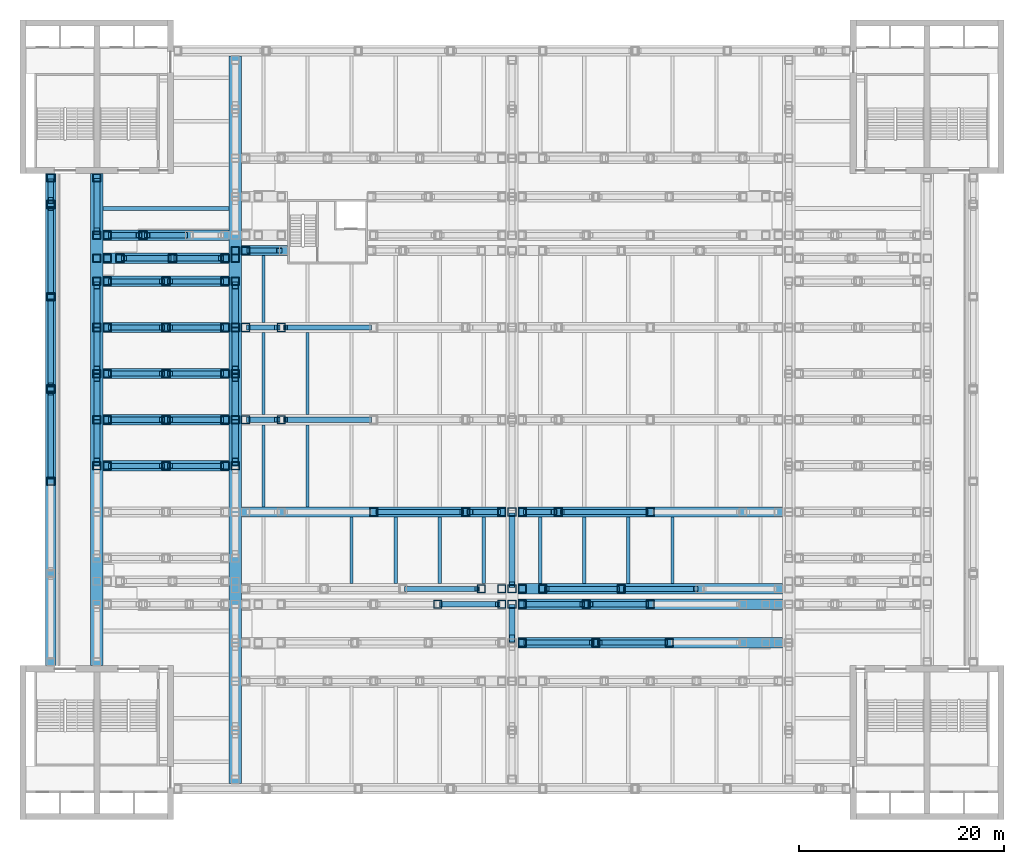
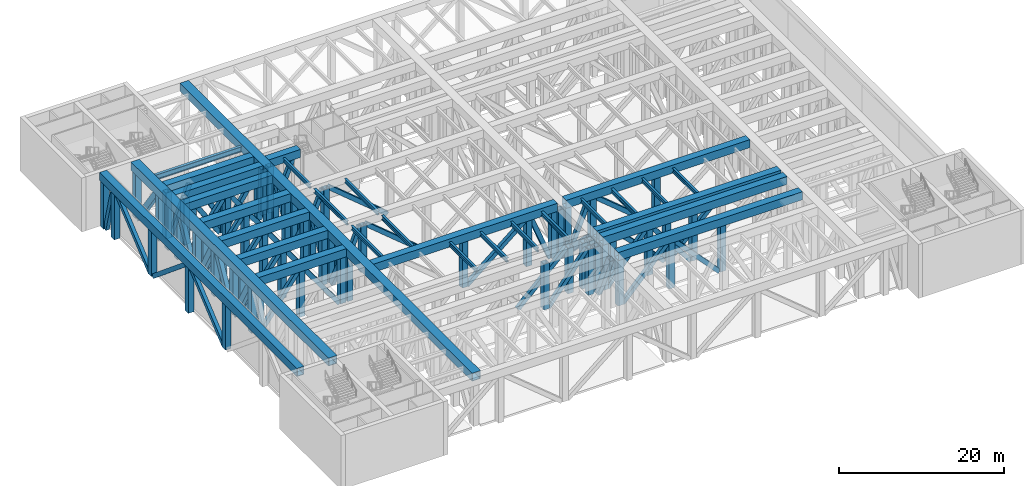
# One storey, part 2 of 20: 130 members, 14 beams.
"""IFC4 building model written with IfcOpenShell, lengths in metres."""

from ifc_helpers import new_model, si_unit, direction, frame, origin, origin_2d, place, context, subcontext, project, spatial, hollow_rectangle, i_section, extrude, material, material_profile, profile_set, type_object, element, save


model = new_model("IFC4")

# Units and contexts
model_context = context("Model", 3, precision=1e-05, world=origin(), true_north=direction((0.0, 1.0)))
body_context = subcontext(model_context, "Body", "Model", "MODEL_VIEW")
ifc_project = project(units=[si_unit("LENGTHUNIT", "METRE"), si_unit("AREAUNIT", "SQUARE_METRE"), si_unit("VOLUMEUNIT", "CUBIC_METRE"), si_unit("PLANEANGLEUNIT", "RADIAN"), si_unit("MASSUNIT", "GRAM", prefix="KILO")], contexts=[model_context])

# Site, building, storey
site_placement = place(None, origin())
site = spatial("IfcSite", under=ifc_project, at=site_placement, CompositionType="ELEMENT")
building_placement = place(site_placement, origin())
building = spatial("IfcBuilding", under=site, at=building_placement, Name="Corbelhall Arena Tower", CompositionType="ELEMENT")
storey_placement = place(building_placement, frame((0.0, 0.0, 52.0)))
storey = spatial("IfcBuildingStorey", under=building, at=storey_placement, Name="L07", CompositionType="ELEMENT", Elevation=52.0)

# Beams
ifc_material_1 = material(Name="Steel ASTM A992 Gr50", Category="steel")
ifc_material_profile_1 = material_profile(ifc_material_1, i_section(OverallWidth=0.323974609375, OverallDepth=0.611083984375, WebThickness=0.0126953125, FlangeThickness=0.01904296875, at=origin_2d()))
ifc_profile_set_1 = profile_set([ifc_material_profile_1], Name="Steel ASTM A992 Gr50")
beam_type_1 = type_object("IfcBeamType", Name="PO-BEAM-W24X104", PredefinedType="BEAM", material=ifc_profile_set_1)
for number, where, z_axis, x_axis, name in (
    (1, (-15.64990234375, -16.0, 7.284423828125), (0.0, 1.0, 0.0), (-1.0, 0.0, 0.0), "DECK BEAM TOP 21.3"),
    (2, (-11.35009765625, -16.0, 7.284423828125), (0.0, 1.0, 0.0), (-1.0, 0.0, 0.0), "DECK BEAM TOP 21.4"),
    (3, (-7.050048828125, -16.0, 7.284423828125), (0.0, 1.0, 0.0), (-1.0, 0.0, 0.0), "DECK BEAM TOP 21.5"),
    (4, (-2.75, -16.0, 7.284423828125), (0.0, 1.0, 0.0), (-1.0, 0.0, 0.0), "DECK BEAM TOP 21.6"),
):
    element("IfcBeam", number, at=place(storey_placement, frame(where, z_axis=z_axis, x_axis=x_axis)), inside=storey, type_object=beam_type_1, Name=name, PredefinedType="BEAM", context=body_context, shape_type="SweptSolid", body=[
        extrude(i_section(OverallWidth=0.323974609375, OverallDepth=0.611083984375, WebThickness=0.0126953125, FlangeThickness=0.01904296875, at=origin_2d()), origin(), (0.0, 0.0, 1.0), 6.5),
    ])
for number, where, z_axis, x_axis, name in (
    (5, (-24.25, -8.5, 7.284423828125), (0.0, 1.0, 0.0), (-1.0, 0.0, 0.0), "DECK BEAM TOP 22.1"),
    (6, (-19.949951171875, -8.5, 7.284423828125), (0.0, 1.0, 0.0), (-1.0, 0.0, 0.0), "DECK BEAM TOP 22.2"),
    (7, (-24.25, 0.5, 7.284423828125), (0.0, 1.0, 0.0), (-1.0, 0.0, 0.0), "DECK BEAM TOP 23.1"),
    (8, (-19.949951171875, 0.5, 7.284423828125), (0.0, 1.0, 0.0), (-1.0, 0.0, 0.0), "DECK BEAM TOP 23.2"),
):
    element("IfcBeam", number, at=place(storey_placement, frame(where, z_axis=z_axis, x_axis=x_axis)), inside=storey, type_object=beam_type_1, Name=name, PredefinedType="BEAM", context=body_context, shape_type="SweptSolid", body=[
        extrude(i_section(OverallWidth=0.323974609375, OverallDepth=0.611083984375, WebThickness=0.0126953125, FlangeThickness=0.01904296875, at=origin_2d()), origin(), (0.0, 0.0, 1.0), 8.0),
    ])
for number, where, z_axis, x_axis, name in (
    (9, (-24.25, 9.5, 7.284423828125), (0.0, 1.0, 0.0), (-1.0, 0.0, 0.0), "DECK BEAM TOP 25.1"),
    (10, (2.75, -16.0, 7.284423828125), (0.0, 1.0, 0.0), (-1.0, 0.0, 0.0), "DECK BEAM TOP 32.1"),
    (11, (7.050048828125, -16.0, 7.284423828125), (0.0, 1.0, 0.0), (-1.0, 0.0, 0.0), "DECK BEAM TOP 32.2"),
    (12, (11.35009765625, -16.0, 7.284423828125), (0.0, 1.0, 0.0), (-1.0, 0.0, 0.0), "DECK BEAM TOP 32.3"),
    (13, (15.64990234375, -16.0, 7.284423828125), (0.0, 1.0, 0.0), (-1.0, 0.0, 0.0), "DECK BEAM TOP 32.4"),
):
    element("IfcBeam", number, at=place(storey_placement, frame(where, z_axis=z_axis, x_axis=x_axis)), inside=storey, type_object=beam_type_1, Name=name, PredefinedType="BEAM", context=body_context, shape_type="SweptSolid", body=[
        extrude(i_section(OverallWidth=0.323974609375, OverallDepth=0.611083984375, WebThickness=0.0126953125, FlangeThickness=0.01904296875, at=origin_2d()), origin(), (0.0, 0.0, 1.0), 6.5),
    ])
ifc_material_profile_2 = material_profile(ifc_material_1, i_section(OverallWidth=0.381103515625, OverallDepth=0.77294921875, WebThickness=0.0166015625, FlangeThickness=0.027099609375, at=origin_2d()))
ifc_profile_set_2 = profile_set([ifc_material_profile_2], Name="Steel ASTM A992 Gr50")
beam_type_2 = type_object("IfcBeamType", Name="PO-BEAM-W30X173", PredefinedType="BEAM", material=ifc_profile_set_2)
beam_placement = place(storey_placement, frame((-39.89990234375, 20.625, 7.3134765625), z_axis=(1.0, 0.0, 0.0), x_axis=(0.0, 1.0, 0.0)))
element("IfcBeam", 14, at=beam_placement, inside=storey, type_object=beam_type_2, Name="DECK BEAM TOP 13.1", PredefinedType="BEAM", context=body_context, shape_type="SweptSolid", body=[
    extrude(i_section(OverallWidth=0.381103515625, OverallDepth=0.77294921875, WebThickness=0.0166015625, FlangeThickness=0.027099609375, at=origin_2d()), origin(), (0.0, 0.0, 1.0), 12.2998046875),
])

# Members
ifc_material_2 = material(Name="Steel ASTM A572 Gr50", Category="steel")
ifc_material_profile_3 = material_profile(ifc_material_2, hollow_rectangle(XDim=0.5, YDim=0.60009765625, WallThickness=0.030029296875, at=origin_2d()))
ifc_profile_set_3 = profile_set([ifc_material_profile_3], Name="Steel ASTM A572 Gr50")
member_type_1 = type_object("IfcMemberType", Name="PO-BRACE-600X500X30", PredefinedType="BRACE", material=ifc_profile_set_3)
for number, where, z_axis, x_axis, name in (
    (15, (-45.0, -5.60009765625, 0.0), (0.0, 0.769763178873, 0.638329576669), (-1.0, 0.0, 0.0), "TRUSS EDGE-W BRACE 2.3"),
    (16, (-45.0, 3.39990234375, 6.800048828125), (0.0, 0.769763178873, -0.638329576669), (-1.0, 0.0, 0.0), "TRUSS EDGE-W BRACE 2.4"),
    (17, (-45.0, 12.39990234375, 0.0), (0.0, 0.769763178873, 0.638329576669), (-1.0, 0.0, 0.0), "TRUSS EDGE-W BRACE 2.5"),
):
    element("IfcMember", number, at=place(storey_placement, frame(where, z_axis=z_axis, x_axis=x_axis)), inside=storey, type_object=member_type_1, Name=name, PredefinedType="BRACE", context=body_context, shape_type="SweptSolid", body=[
        extrude(hollow_rectangle(XDim=0.5, YDim=0.60009765625, WallThickness=0.030029296875, at=origin_2d()), origin(), (0.0, 0.0, 1.0), 10.65283203125),
    ])
member_1_placement = place(storey_placement, frame((-45.0, 21.39990234375, 6.800048828125), z_axis=(0.0, 0.255897330119, -0.966703965254), x_axis=(-1.0, 0.0, 0.0)))
element("IfcMember", 18, at=member_1_placement, inside=storey, type_object=member_type_1, Name="TRUSS EDGE-W BRACE 2.6", PredefinedType="BRACE", context=body_context, shape_type="SweptSolid", body=[
    extrude(hollow_rectangle(XDim=0.5, YDim=0.60009765625, WallThickness=0.030029296875, at=origin_2d()), origin(), (0.0, 0.0, 1.0), 7.0341796875),
])
for number, where, z_axis, x_axis, name in (
    (19, (1.39990234375, -21.75, 0.0), (0.683464108742, 0.0, 0.729984117677), (0.0, 1.0, 0.0), "TRUSS SEC-S21.75-2 BRACE 2.1"),
    (20, (8.566650390625, -21.75, 6.800048828125), (0.683464108742, 0.0, -0.729984117677), (0.0, 1.0, 0.0), "TRUSS SEC-S21.75-2 BRACE 2.2"),
):
    element("IfcMember", number, at=place(storey_placement, frame(where, z_axis=z_axis, x_axis=x_axis)), inside=storey, type_object=member_type_1, Name=name, PredefinedType="BRACE", context=body_context, shape_type="SweptSolid", body=[
        extrude(hollow_rectangle(XDim=0.5, YDim=0.60009765625, WallThickness=0.030029296875, at=origin_2d()), origin(), (0.0, 0.0, 1.0), 9.3154296875),
    ])
for number, where, z_axis, x_axis, name in (
    (21, (-6.85009765625, -18.0, 0.0), (0.625405411621, 0.0, 0.780299987899), (0.0, 1.0, 0.0), "TRUSS SEC-S18.00-1 BRACE 2.5"),
    (22, (1.39990234375, -18.0, 0.0), (0.625405411621, 0.0, 0.780299987899), (0.0, 1.0, 0.0), "TRUSS SEC-S18.00-2 BRACE 2.1"),
    (23, (7.64990234375, -18.0, 6.800048828125), (0.625405411621, 0.0, -0.780299987899), (0.0, 1.0, 0.0), "TRUSS SEC-S18.00-2 BRACE 2.2"),
):
    element("IfcMember", number, at=place(storey_placement, frame(where, z_axis=z_axis, x_axis=x_axis)), inside=storey, type_object=member_type_1, Name=name, PredefinedType="BRACE", context=body_context, shape_type="SweptSolid", body=[
        extrude(hollow_rectangle(XDim=0.5, YDim=0.60009765625, WallThickness=0.030029296875, at=origin_2d()), origin(), (0.0, 0.0, 1.0), 8.714599609375),
    ])
for number, where, z_axis, x_axis, name in (
    (24, (-10.2666015625, -16.5, 0.0), (0.71054677033, 0.0, 0.703649974898), (0.0, 1.0, 0.0), "TRUSS SEC-S16.50-1 BRACE 2.3"),
    (25, (3.39990234375, -16.5, 6.800048828125), (0.71054677033, 0.0, -0.703649974898), (0.0, 1.0, 0.0), "TRUSS SEC-S16.50-2 BRACE 2.2"),
    (26, (11.066650390625, -16.5, 0.0), (0.71054677033, 0.0, 0.703649974898), (0.0, 1.0, 0.0), "TRUSS SEC-S16.50-2 BRACE 2.3"),
):
    element("IfcMember", number, at=place(storey_placement, frame(where, z_axis=z_axis, x_axis=x_axis)), inside=storey, type_object=member_type_1, Name=name, PredefinedType="BRACE", context=body_context, shape_type="SweptSolid", body=[
        extrude(hollow_rectangle(XDim=0.5, YDim=0.60009765625, WallThickness=0.030029296875, at=origin_2d()), origin(), (0.0, 0.0, 1.0), 9.6640625),
    ])
member_2_placement = place(storey_placement, frame((-13.10009765625, -9.0, 0.0), z_axis=(0.769763178873, 0.0, 0.638329576669), x_axis=(0.0, 1.0, 0.0)))
element("IfcMember", 27, at=member_2_placement, inside=storey, type_object=member_type_1, Name="TRUSS SEC-S09.00-1 BRACE 2.3", PredefinedType="BRACE", context=body_context, shape_type="SweptSolid", body=[
    extrude(hollow_rectangle(XDim=0.5, YDim=0.60009765625, WallThickness=0.030029296875, at=origin_2d()), origin(), (0.0, 0.0, 1.0), 10.65283203125),
])
for number, where, z_axis, x_axis, name in (
    (28, (-4.10009765625, -9.0, 6.800048828125), (0.369053718093, 0.0, -0.929408066008), (0.0, 1.0, 0.0), "TRUSS SEC-S09.00-1 BRACE 2.4"),
    (29, (1.39990234375, -9.0, 0.0), (0.369053718093, 0.0, 0.929408066008), (0.0, 1.0, 0.0), "TRUSS SEC-S09.00-2 BRACE 2.1"),
):
    element("IfcMember", number, at=place(storey_placement, frame(where, z_axis=z_axis, x_axis=x_axis)), inside=storey, type_object=member_type_1, Name=name, PredefinedType="BRACE", context=body_context, shape_type="SweptSolid", body=[
        extrude(hollow_rectangle(XDim=0.5, YDim=0.60009765625, WallThickness=0.030029296875, at=origin_2d()), origin(), (0.0, 0.0, 1.0), 7.316650390625),
    ])
member_3_placement = place(storey_placement, frame((4.89990234375, -9.0, 6.800048828125), z_axis=(0.769763178873, 0.0, -0.638329576669), x_axis=(0.0, 1.0, 0.0)))
element("IfcMember", 30, at=member_3_placement, inside=storey, type_object=member_type_1, Name="TRUSS SEC-S09.00-2 BRACE 2.2", PredefinedType="BRACE", context=body_context, shape_type="SweptSolid", body=[
    extrude(hollow_rectangle(XDim=0.5, YDim=0.60009765625, WallThickness=0.030029296875, at=origin_2d()), origin(), (0.0, 0.0, 1.0), 10.65283203125),
])
for number, where, z_axis, x_axis, name in (
    (31, (-39.10009765625, -4.5, 0.0), (0.588537525925, 0.0, 0.808469900848), (0.0, 1.0, 0.0), "TRUSS SEC-S04.50-0 BRACE 2.1"),
    (32, (-33.35009765625, -4.5, 6.800048828125), (0.588537525925, 0.0, -0.808469900848), (0.0, 1.0, 0.0), "TRUSS SEC-S04.50-0 BRACE 2.2"),
    (33, (-39.10009765625, 0.0, 0.0), (0.588537525925, 0.0, 0.808469900848), (0.0, 1.0, 0.0), "TRUSS SEC-N00.00-0 BRACE 2.1"),
    (34, (-33.35009765625, 0.0, 6.800048828125), (0.588537525925, 0.0, -0.808469900848), (0.0, 1.0, 0.0), "TRUSS SEC-N00.00-0 BRACE 2.2"),
):
    element("IfcMember", number, at=place(storey_placement, frame(where, z_axis=z_axis, x_axis=x_axis)), inside=storey, type_object=member_type_1, Name=name, PredefinedType="BRACE", context=body_context, shape_type="SweptSolid", body=[
        extrude(hollow_rectangle(XDim=0.5, YDim=0.60009765625, WallThickness=0.030029296875, at=origin_2d()), origin(), (0.0, 0.0, 1.0), 8.410888671875),
    ])
member_4_placement = place(storey_placement, frame((-25.60009765625, 0.0, 0.0), z_axis=(0.369053718093, 0.0, 0.929408066008), x_axis=(0.0, 1.0, 0.0)))
element("IfcMember", 35, at=member_4_placement, inside=storey, type_object=member_type_1, Name="TRUSS SEC-N00.00-1 BRACE 2.1", PredefinedType="BRACE", context=body_context, shape_type="SweptSolid", body=[
    extrude(hollow_rectangle(XDim=0.5, YDim=0.60009765625, WallThickness=0.030029296875, at=origin_2d()), origin(), (0.0, 0.0, 1.0), 7.316650390625),
])
member_5_placement = place(storey_placement, frame((-22.10009765625, 0.0, 6.800048828125), z_axis=(0.769763178873, 0.0, -0.638329576669), x_axis=(0.0, 1.0, 0.0)))
element("IfcMember", 36, at=member_5_placement, inside=storey, type_object=member_type_1, Name="TRUSS SEC-N00.00-1 BRACE 2.2", PredefinedType="BRACE", context=body_context, shape_type="SweptSolid", body=[
    extrude(hollow_rectangle(XDim=0.5, YDim=0.60009765625, WallThickness=0.030029296875, at=origin_2d()), origin(), (0.0, 0.0, 1.0), 10.65283203125),
])
for number, where, z_axis, x_axis, name in (
    (37, (-39.10009765625, 4.5, 0.0), (0.588537525925, 0.0, 0.808469900848), (0.0, 1.0, 0.0), "TRUSS SEC-N04.50-0 BRACE 2.1"),
    (38, (-33.35009765625, 4.5, 6.800048828125), (0.588537525925, 0.0, -0.808469900848), (0.0, 1.0, 0.0), "TRUSS SEC-N04.50-0 BRACE 2.2"),
    (39, (-39.10009765625, 9.0, 0.0), (0.588537525925, 0.0, 0.808469900848), (0.0, 1.0, 0.0), "TRUSS SEC-N09.00-0 BRACE 2.1"),
    (40, (-33.35009765625, 9.0, 6.800048828125), (0.588537525925, 0.0, -0.808469900848), (0.0, 1.0, 0.0), "TRUSS SEC-N09.00-0 BRACE 2.2"),
):
    element("IfcMember", number, at=place(storey_placement, frame(where, z_axis=z_axis, x_axis=x_axis)), inside=storey, type_object=member_type_1, Name=name, PredefinedType="BRACE", context=body_context, shape_type="SweptSolid", body=[
        extrude(hollow_rectangle(XDim=0.5, YDim=0.60009765625, WallThickness=0.030029296875, at=origin_2d()), origin(), (0.0, 0.0, 1.0), 8.410888671875),
    ])
member_6_placement = place(storey_placement, frame((-25.60009765625, 9.0, 0.0), z_axis=(0.369053718093, 0.0, 0.929408066008), x_axis=(0.0, 1.0, 0.0)))
element("IfcMember", 41, at=member_6_placement, inside=storey, type_object=member_type_1, Name="TRUSS SEC-N09.00-1 BRACE 2.1", PredefinedType="BRACE", context=body_context, shape_type="SweptSolid", body=[
    extrude(hollow_rectangle(XDim=0.5, YDim=0.60009765625, WallThickness=0.030029296875, at=origin_2d()), origin(), (0.0, 0.0, 1.0), 7.316650390625),
])
member_7_placement = place(storey_placement, frame((-22.10009765625, 9.0, 6.800048828125), z_axis=(0.769763178873, 0.0, -0.638329576669), x_axis=(0.0, 1.0, 0.0)))
element("IfcMember", 42, at=member_7_placement, inside=storey, type_object=member_type_1, Name="TRUSS SEC-N09.00-1 BRACE 2.2", PredefinedType="BRACE", context=body_context, shape_type="SweptSolid", body=[
    extrude(hollow_rectangle(XDim=0.5, YDim=0.60009765625, WallThickness=0.030029296875, at=origin_2d()), origin(), (0.0, 0.0, 1.0), 10.65283203125),
])
for number, where, z_axis, x_axis, name in (
    (43, (-39.10009765625, 13.5, 0.0), (0.588537525925, 0.0, 0.808469900848), (0.0, 1.0, 0.0), "TRUSS SEC-N13.50-0 BRACE 2.1"),
    (44, (-33.35009765625, 13.5, 6.800048828125), (0.588537525925, 0.0, -0.808469900848), (0.0, 1.0, 0.0), "TRUSS SEC-N13.50-0 BRACE 2.2"),
):
    element("IfcMember", number, at=place(storey_placement, frame(where, z_axis=z_axis, x_axis=x_axis)), inside=storey, type_object=member_type_1, Name=name, PredefinedType="BRACE", context=body_context, shape_type="SweptSolid", body=[
        extrude(hollow_rectangle(XDim=0.5, YDim=0.60009765625, WallThickness=0.030029296875, at=origin_2d()), origin(), (0.0, 0.0, 1.0), 8.410888671875),
    ])
for number, where, z_axis, x_axis, name in (
    (45, (-37.85009765625, 15.75, 6.800048828125), (0.536689259852, 0.0, -0.843779970347), (0.0, 1.0, 0.0), "TRUSS SEC-N15.75-0 BRACE 2.2"),
    (46, (-32.72509765625, 15.75, 0.0), (0.536689259852, 0.0, 0.843779970347), (0.0, 1.0, 0.0), "TRUSS SEC-N15.75-0 BRACE 2.3"),
):
    element("IfcMember", number, at=place(storey_placement, frame(where, z_axis=z_axis, x_axis=x_axis)), inside=storey, type_object=member_type_1, Name=name, PredefinedType="BRACE", context=body_context, shape_type="SweptSolid", body=[
        extrude(hollow_rectangle(XDim=0.5, YDim=0.60009765625, WallThickness=0.030029296875, at=origin_2d()), origin(), (0.0, 0.0, 1.0), 8.05908203125),
    ])
member_8_placement = place(storey_placement, frame((-25.60009765625, 16.5, 0.0), z_axis=(0.392300477515, 0.0, 0.919837124355), x_axis=(0.0, 1.0, 0.0)))
element("IfcMember", 47, at=member_8_placement, inside=storey, type_object=member_type_1, Name="TRUSS SEC-N16.50-1W BRACE 2.1", PredefinedType="BRACE", context=body_context, shape_type="SweptSolid", body=[
    extrude(hollow_rectangle(XDim=0.5, YDim=0.60009765625, WallThickness=0.030029296875, at=origin_2d()), origin(), (0.0, 0.0, 1.0), 7.392578125),
])
member_9_placement = place(storey_placement, frame((-39.10009765625, 18.0, 0.0), z_axis=(0.369053718093, 0.0, 0.929408066008), x_axis=(0.0, 1.0, 0.0)))
element("IfcMember", 48, at=member_9_placement, inside=storey, type_object=member_type_1, Name="TRUSS SEC-N18.00-0 BRACE 2.1", PredefinedType="BRACE", context=body_context, shape_type="SweptSolid", body=[
    extrude(hollow_rectangle(XDim=0.5, YDim=0.60009765625, WallThickness=0.030029296875, at=origin_2d()), origin(), (0.0, 0.0, 1.0), 7.316650390625),
])
member_10_placement = place(storey_placement, frame((-35.60009765625, 18.0, 6.800048828125), z_axis=(0.477963647565, 0.0, -0.878379617026), x_axis=(0.0, 1.0, 0.0)))
element("IfcMember", 49, at=member_10_placement, inside=storey, type_object=member_type_1, Name="TRUSS SEC-N18.00-0 BRACE 2.2", PredefinedType="BRACE", context=body_context, shape_type="SweptSolid", body=[
    extrude(hollow_rectangle(XDim=0.5, YDim=0.60009765625, WallThickness=0.030029296875, at=origin_2d()), origin(), (0.0, 0.0, 1.0), 7.74169921875),
])
ifc_material_profile_4 = material_profile(ifc_material_2, hollow_rectangle(XDim=0.60009765625, YDim=0.800048828125, WallThickness=0.0400390625, at=origin_2d()))
ifc_profile_set_4 = profile_set([ifc_material_profile_4], Name="Steel ASTM A572 Gr50")
member_type_2 = type_object("IfcMemberType", Name="PO-BRACE-800X600X40", PredefinedType="BRACE", material=ifc_profile_set_4)
for number, where, z_axis, x_axis, name in (
    (50, (-40.5, -4.10009765625, 6.800048828125), (0.0, 0.477963647565, -0.878379617026), (-1.0, 0.0, 0.0), "TRUSS PRI--40.5 BRACE 2.6"),
    (51, (-40.5, 0.39990234375, 0.0), (0.0, 0.477963647565, 0.878379617026), (-1.0, 0.0, 0.0), "TRUSS PRI--40.5 BRACE 2.7"),
    (52, (-40.5, 4.89990234375, 6.800048828125), (0.0, 0.477963647565, -0.878379617026), (-1.0, 0.0, 0.0), "TRUSS PRI--40.5 BRACE 2.8"),
    (53, (-40.5, 9.39990234375, 0.0), (0.0, 0.477963647565, 0.878379617026), (-1.0, 0.0, 0.0), "TRUSS PRI--40.5 BRACE 2.9"),
):
    element("IfcMember", number, at=place(storey_placement, frame(where, z_axis=z_axis, x_axis=x_axis)), inside=storey, type_object=member_type_2, Name=name, PredefinedType="BRACE", context=body_context, shape_type="SweptSolid", body=[
        extrude(hollow_rectangle(XDim=0.60009765625, YDim=0.800048828125, WallThickness=0.0400390625, at=origin_2d()), origin(), (0.0, 0.0, 1.0), 7.74169921875),
    ])
member_11_placement = place(storey_placement, frame((-40.5, 18.39990234375, 6.800048828125), z_axis=(0.0, 0.576684349177, -0.816967050385), x_axis=(-1.0, 0.0, 0.0)))
element("IfcMember", 54, at=member_11_placement, inside=storey, type_object=member_type_2, Name="TRUSS PRI--40.5 BRACE 2.12", PredefinedType="BRACE", context=body_context, shape_type="SweptSolid", body=[
    extrude(hollow_rectangle(XDim=0.60009765625, YDim=0.800048828125, WallThickness=0.0400390625, at=origin_2d()), origin(), (0.0, 0.0, 1.0), 8.323486328125),
])
for number, where, z_axis, x_axis, name in (
    (55, (-27.0, -4.10009765625, 6.800048828125), (0.0, 0.477963647565, -0.878379617026), (-1.0, 0.0, 0.0), "TRUSS PRI--27.0 BRACE 2.10"),
    (56, (-27.0, 0.39990234375, 0.0), (0.0, 0.477963647565, 0.878379617026), (-1.0, 0.0, 0.0), "TRUSS PRI--27.0 BRACE 2.11"),
    (57, (-27.0, 4.89990234375, 6.800048828125), (0.0, 0.477963647565, -0.878379617026), (-1.0, 0.0, 0.0), "TRUSS PRI--27.0 BRACE 2.12"),
    (58, (-27.0, 9.39990234375, 0.0), (0.0, 0.477963647565, 0.878379617026), (-1.0, 0.0, 0.0), "TRUSS PRI--27.0 BRACE 2.13"),
):
    element("IfcMember", number, at=place(storey_placement, frame(where, z_axis=z_axis, x_axis=x_axis)), inside=storey, type_object=member_type_2, Name=name, PredefinedType="BRACE", context=body_context, shape_type="SweptSolid", body=[
        extrude(hollow_rectangle(XDim=0.60009765625, YDim=0.800048828125, WallThickness=0.0400390625, at=origin_2d()), origin(), (0.0, 0.0, 1.0), 7.74169921875),
    ])
member_12_placement = place(storey_placement, frame((0.0, -21.35009765625, 6.800048828125), z_axis=(0.0, 0.398005781953, -0.917382906715), x_axis=(-1.0, 0.0, 0.0)))
element("IfcMember", 59, at=member_12_placement, inside=storey, type_object=member_type_2, Name="TRUSS PRI-+0.0 BRACE 2.4", PredefinedType="BRACE", context=body_context, shape_type="SweptSolid", body=[
    extrude(hollow_rectangle(XDim=0.60009765625, YDim=0.800048828125, WallThickness=0.0400390625, at=origin_2d()), origin(), (0.0, 0.0, 1.0), 7.412353515625),
])
member_13_placement = place(storey_placement, frame((0.0, -16.10009765625, 6.800048828125), z_axis=(0.0, 0.701857522338, -0.712317357881), x_axis=(-1.0, 0.0, 0.0)))
element("IfcMember", 60, at=member_13_placement, inside=storey, type_object=member_type_2, Name="TRUSS PRI-+0.0 BRACE 2.6", PredefinedType="BRACE", context=body_context, shape_type="SweptSolid", body=[
    extrude(hollow_rectangle(XDim=0.60009765625, YDim=0.800048828125, WallThickness=0.0400390625, at=origin_2d()), origin(), (0.0, 0.0, 1.0), 9.54638671875),
])
ifc_material_profile_5 = material_profile(ifc_material_2, hollow_rectangle(XDim=1.0, YDim=1.199951171875, WallThickness=0.06005859375, at=origin_2d()))
ifc_profile_set_5 = profile_set([ifc_material_profile_5], Name="Steel ASTM A572 Gr50")
member_type_3 = type_object("IfcMemberType", Name="PO-CHORD-1200X1000X60", PredefinedType="CHORD", material=ifc_profile_set_5)
member_14_placement = place(storey_placement, frame((-45.0, -24.0, 7.39990234375), z_axis=(0.0, 1.0, 0.0), x_axis=(-1.0, 0.0, 0.0)))
element("IfcMember", 61, at=member_14_placement, inside=storey, type_object=member_type_3, Name="TRUSS EDGE-W TOP CHORD", PredefinedType="CHORD", context=body_context, shape_type="SweptSolid", body=[
    extrude(hollow_rectangle(XDim=1.0, YDim=1.199951171875, WallThickness=0.06005859375, at=origin_2d()), origin(), (0.0, 0.0, 1.0), 48.0),
])
for number, where, z_axis, x_axis, name in (
    (62, (0.60009765625, -21.75, 7.39990234375), (1.0, 0.0, 0.0), (0.0, 1.0, 0.0), "TRUSS SEC-S21.75-2 TOP CHORD"),
    (63, (0.60009765625, -18.0, 7.39990234375), (1.0, 0.0, 0.0), (0.0, 1.0, 0.0), "TRUSS SEC-S18.00-2 TOP CHORD"),
    (64, (0.60009765625, -16.5, 7.39990234375), (1.0, 0.0, 0.0), (0.0, 1.0, 0.0), "TRUSS SEC-S16.50-2 TOP CHORD"),
    (65, (-26.39990234375, -9.0, 7.39990234375), (1.0, 0.0, 0.0), (0.0, 1.0, 0.0), "TRUSS SEC-S09.00-1 TOP CHORD"),
    (66, (0.60009765625, -9.0, 7.39990234375), (1.0, 0.0, 0.0), (0.0, 1.0, 0.0), "TRUSS SEC-S09.00-2 TOP CHORD"),
):
    element("IfcMember", number, at=place(storey_placement, frame(where, z_axis=z_axis, x_axis=x_axis)), inside=storey, type_object=member_type_3, Name=name, PredefinedType="CHORD", context=body_context, shape_type="SweptSolid", body=[
        extrude(hollow_rectangle(XDim=1.0, YDim=1.199951171875, WallThickness=0.06005859375, at=origin_2d()), origin(), (0.0, 0.0, 1.0), 25.7998046875),
    ])
for number, where, z_axis, x_axis, name in (
    (67, (-39.89990234375, -4.5, 7.39990234375), (1.0, 0.0, 0.0), (0.0, 1.0, 0.0), "TRUSS SEC-S04.50-0 TOP CHORD"),
    (68, (-39.89990234375, 0.0, 7.39990234375), (1.0, 0.0, 0.0), (0.0, 1.0, 0.0), "TRUSS SEC-N00.00-0 TOP CHORD"),
    (69, (-39.89990234375, 4.5, 7.39990234375), (1.0, 0.0, 0.0), (0.0, 1.0, 0.0), "TRUSS SEC-N04.50-0 TOP CHORD"),
    (70, (-39.89990234375, 9.0, 7.39990234375), (1.0, 0.0, 0.0), (0.0, 1.0, 0.0), "TRUSS SEC-N09.00-0 TOP CHORD"),
    (71, (-39.89990234375, 13.5, 7.39990234375), (1.0, 0.0, 0.0), (0.0, 1.0, 0.0), "TRUSS SEC-N13.50-0 TOP CHORD"),
    (72, (-39.89990234375, 15.75, 7.39990234375), (1.0, 0.0, 0.0), (0.0, 1.0, 0.0), "TRUSS SEC-N15.75-0 TOP CHORD"),
):
    element("IfcMember", number, at=place(storey_placement, frame(where, z_axis=z_axis, x_axis=x_axis)), inside=storey, type_object=member_type_3, Name=name, PredefinedType="CHORD", context=body_context, shape_type="SweptSolid", body=[
        extrude(hollow_rectangle(XDim=1.0, YDim=1.199951171875, WallThickness=0.06005859375, at=origin_2d()), origin(), (0.0, 0.0, 1.0), 12.2998046875),
    ])
member_15_placement = place(storey_placement, frame((-26.39990234375, 16.5, 7.39990234375), z_axis=(1.0, 0.0, 0.0), x_axis=(0.0, 1.0, 0.0)))
element("IfcMember", 73, at=member_15_placement, inside=storey, type_object=member_type_3, Name="TRUSS SEC-N16.50-1W TOP CHORD", PredefinedType="CHORD", context=body_context, shape_type="SweptSolid", body=[
    extrude(hollow_rectangle(XDim=1.0, YDim=1.199951171875, WallThickness=0.06005859375, at=origin_2d()), origin(), (0.0, 0.0, 1.0), 4.5),
])
member_16_placement = place(storey_placement, frame((-39.89990234375, 18.0, 7.39990234375), z_axis=(1.0, 0.0, 0.0), x_axis=(0.0, 1.0, 0.0)))
element("IfcMember", 74, at=member_16_placement, inside=storey, type_object=member_type_3, Name="TRUSS SEC-N18.00-0 TOP CHORD", PredefinedType="CHORD", context=body_context, shape_type="SweptSolid", body=[
    extrude(hollow_rectangle(XDim=1.0, YDim=1.199951171875, WallThickness=0.06005859375, at=origin_2d()), origin(), (0.0, 0.0, 1.0), 12.2998046875),
])
ifc_material_profile_6 = material_profile(ifc_material_2, hollow_rectangle(XDim=1.199951171875, YDim=1.199951171875, WallThickness=0.080078125, at=origin_2d()))
ifc_profile_set_6 = profile_set([ifc_material_profile_6], Name="Steel ASTM A572 Gr50")
member_type_4 = type_object("IfcMemberType", Name="PO-CHORD-1200X1200X80", PredefinedType="CHORD", material=ifc_profile_set_6)
member_17_placement = place(storey_placement, frame((-40.5, -24.0, 7.39990234375), z_axis=(0.0, 1.0, 0.0), x_axis=(-1.0, 0.0, 0.0)))
element("IfcMember", 75, at=member_17_placement, inside=storey, type_object=member_type_4, Name="TRUSS PRI--40.5 TOP CHORD", PredefinedType="CHORD", context=body_context, shape_type="SweptSolid", body=[
    extrude(hollow_rectangle(XDim=1.199951171875, YDim=1.199951171875, WallThickness=0.080078125, at=origin_2d()), origin(), (0.0, 0.0, 1.0), 48.0),
])
member_18_placement = place(storey_placement, frame((-27.0, -35.5, 7.39990234375), z_axis=(0.0, 1.0, 0.0), x_axis=(-1.0, 0.0, 0.0)))
element("IfcMember", 76, at=member_18_placement, inside=storey, type_object=member_type_4, Name="TRUSS PRI--27.0 TOP CHORD", PredefinedType="CHORD", context=body_context, shape_type="SweptSolid", body=[
    extrude(hollow_rectangle(XDim=1.199951171875, YDim=1.199951171875, WallThickness=0.080078125, at=origin_2d()), origin(), (0.0, 0.0, 1.0), 71.0),
])
ifc_material_profile_7 = material_profile(ifc_material_2, hollow_rectangle(XDim=0.800048828125, YDim=0.800048828125, WallThickness=0.050048828125, at=origin_2d()))
ifc_profile_set_7 = profile_set([ifc_material_profile_7], Name="Steel ASTM A572 Gr50")
member_type_5 = type_object("IfcMemberType", Name="PO-POST-800", PredefinedType="POST", material=ifc_profile_set_7)
for number, where, z_axis, x_axis, name in (
    (77, (-45.0, -6.0, 0.0), (0.0, 0.0, 1.0), (1.0, 0.0, 0.0), "TRUSS EDGE-W POST 2.3"),
    (78, (-45.0, 3.0, 0.0), (0.0, 0.0, 1.0), (1.0, 0.0, 0.0), "TRUSS EDGE-W POST 2.4"),
    (79, (-45.0, 12.0, 0.0), (0.0, 0.0, 1.0), (1.0, 0.0, 0.0), "TRUSS EDGE-W POST 2.5"),
    (80, (-45.0, 21.0, 0.0), (0.0, 0.0, 1.0), (1.0, 0.0, 0.0), "TRUSS EDGE-W POST 2.6"),
    (81, (-45.0, 23.60009765625, 0.0), (0.0, 0.0, 1.0), (1.0, 0.0, 0.0), "TRUSS EDGE-W POST 2.7"),
    (82, (1.0, -21.75, 0.0), (0.0, 0.0, 1.0), (1.0, 0.0, 0.0), "TRUSS SEC-S21.75-2 POST 2.1"),
    (83, (8.166748046875, -21.75, 0.0), (0.0, 0.0, 1.0), (1.0, 0.0, 0.0), "TRUSS SEC-S21.75-2 POST 2.2"),
    (84, (15.333251953125, -21.75, 0.0), (0.0, 0.0, 1.0), (1.0, 0.0, 0.0), "TRUSS SEC-S21.75-2 POST 2.3"),
    (85, (-7.25, -18.0, 0.0), (0.0, 0.0, 1.0), (1.0, 0.0, 0.0), "TRUSS SEC-S18.00-1 POST 2.5"),
    (86, (-1.0, -18.0, 0.0), (0.0, 0.0, 1.0), (1.0, 0.0, 0.0), "TRUSS SEC-S18.00-1 POST 2.6"),
    (87, (1.0, -18.0, 0.0), (0.0, 0.0, 1.0), (1.0, 0.0, 0.0), "TRUSS SEC-S18.00-2 POST 2.1"),
    (88, (7.25, -18.0, 0.0), (0.0, 0.0, 1.0), (1.0, 0.0, 0.0), "TRUSS SEC-S18.00-2 POST 2.2"),
    (89, (13.5, -18.0, 0.0), (0.0, 0.0, 1.0), (1.0, 0.0, 0.0), "TRUSS SEC-S18.00-2 POST 2.3"),
    (90, (-3.0, -16.5, 0.0), (0.0, 0.0, 1.0), (1.0, 0.0, 0.0), "TRUSS SEC-S16.50-1 POST 2.4"),
    (91, (-1.0, -16.5, 0.0), (0.0, 0.0, 1.0), (1.0, 0.0, 0.0), "TRUSS SEC-S16.50-1 POST 2.5"),
    (92, (1.0, -16.5, 0.0), (0.0, 0.0, 1.0), (1.0, 0.0, 0.0), "TRUSS SEC-S16.50-2 POST 2.1"),
    (93, (3.0, -16.5, 0.0), (0.0, 0.0, 1.0), (1.0, 0.0, 0.0), "TRUSS SEC-S16.50-2 POST 2.2"),
    (94, (10.666748046875, -16.5, 0.0), (0.0, 0.0, 1.0), (1.0, 0.0, 0.0), "TRUSS SEC-S16.50-2 POST 2.3"),
    (95, (-13.5, -9.0, 0.0), (0.0, 0.0, 1.0), (1.0, 0.0, 0.0), "TRUSS SEC-S09.00-1 POST 2.3"),
    (96, (-4.5, -9.0, 0.0), (0.0, 0.0, 1.0), (1.0, 0.0, 0.0), "TRUSS SEC-S09.00-1 POST 2.4"),
    (97, (-1.0, -9.0, 0.0), (0.0, 0.0, 1.0), (1.0, 0.0, 0.0), "TRUSS SEC-S09.00-1 POST 2.5"),
    (98, (1.0, -9.0, 0.0), (0.0, 0.0, 1.0), (1.0, 0.0, 0.0), "TRUSS SEC-S09.00-2 POST 2.1"),
    (99, (4.5, -9.0, 0.0), (0.0, 0.0, 1.0), (1.0, 0.0, 0.0), "TRUSS SEC-S09.00-2 POST 2.2"),
    (100, (13.5, -9.0, 0.0), (0.0, 0.0, 1.0), (1.0, 0.0, 0.0), "TRUSS SEC-S09.00-2 POST 2.3"),
    (101, (-39.5, -4.5, 0.0), (0.0, 0.0, 1.0), (1.0, 0.0, 0.0), "TRUSS SEC-S04.50-0 POST 2.1"),
    (102, (-33.75, -4.5, 0.0), (0.0, 0.0, 1.0), (1.0, 0.0, 0.0), "TRUSS SEC-S04.50-0 POST 2.2"),
    (103, (-28.0, -4.5, 0.0), (0.0, 0.0, 1.0), (1.0, 0.0, 0.0), "TRUSS SEC-S04.50-0 POST 2.3"),
    (104, (-39.5, 0.0, 0.0), (0.0, 0.0, 1.0), (1.0, 0.0, 0.0), "TRUSS SEC-N00.00-0 POST 2.1"),
    (105, (-33.75, 0.0, 0.0), (0.0, 0.0, 1.0), (1.0, 0.0, 0.0), "TRUSS SEC-N00.00-0 POST 2.2"),
    (106, (-28.0, 0.0, 0.0), (0.0, 0.0, 1.0), (1.0, 0.0, 0.0), "TRUSS SEC-N00.00-0 POST 2.3"),
    (107, (-26.0, 0.0, 0.0), (0.0, 0.0, 1.0), (1.0, 0.0, 0.0), "TRUSS SEC-N00.00-1 POST 2.1"),
    (108, (-22.5, 0.0, 0.0), (0.0, 0.0, 1.0), (1.0, 0.0, 0.0), "TRUSS SEC-N00.00-1 POST 2.2"),
    (109, (-39.5, 4.5, 0.0), (0.0, 0.0, 1.0), (1.0, 0.0, 0.0), "TRUSS SEC-N04.50-0 POST 2.1"),
    (110, (-33.75, 4.5, 0.0), (0.0, 0.0, 1.0), (1.0, 0.0, 0.0), "TRUSS SEC-N04.50-0 POST 2.2"),
    (111, (-28.0, 4.5, 0.0), (0.0, 0.0, 1.0), (1.0, 0.0, 0.0), "TRUSS SEC-N04.50-0 POST 2.3"),
    (112, (-39.5, 9.0, 0.0), (0.0, 0.0, 1.0), (1.0, 0.0, 0.0), "TRUSS SEC-N09.00-0 POST 2.1"),
    (113, (-33.75, 9.0, 0.0), (0.0, 0.0, 1.0), (1.0, 0.0, 0.0), "TRUSS SEC-N09.00-0 POST 2.2"),
    (114, (-28.0, 9.0, 0.0), (0.0, 0.0, 1.0), (1.0, 0.0, 0.0), "TRUSS SEC-N09.00-0 POST 2.3"),
    (115, (-26.0, 9.0, 0.0), (0.0, 0.0, 1.0), (1.0, 0.0, 0.0), "TRUSS SEC-N09.00-1 POST 2.1"),
    (116, (-22.5, 9.0, 0.0), (0.0, 0.0, 1.0), (1.0, 0.0, 0.0), "TRUSS SEC-N09.00-1 POST 2.2"),
    (117, (-39.5, 13.5, 0.0), (0.0, 0.0, 1.0), (1.0, 0.0, 0.0), "TRUSS SEC-N13.50-0 POST 2.1"),
    (118, (-33.75, 13.5, 0.0), (0.0, 0.0, 1.0), (1.0, 0.0, 0.0), "TRUSS SEC-N13.50-0 POST 2.2"),
    (119, (-28.0, 13.5, 0.0), (0.0, 0.0, 1.0), (1.0, 0.0, 0.0), "TRUSS SEC-N13.50-0 POST 2.3"),
    (120, (-39.5, 15.75, 0.0), (0.0, 0.0, 1.0), (1.0, 0.0, 0.0), "TRUSS SEC-N15.75-0 POST 2.1"),
    (121, (-38.25, 15.75, 0.0), (0.0, 0.0, 1.0), (1.0, 0.0, 0.0), "TRUSS SEC-N15.75-0 POST 2.2"),
    (122, (-33.125, 15.75, 0.0), (0.0, 0.0, 1.0), (1.0, 0.0, 0.0), "TRUSS SEC-N15.75-0 POST 2.3"),
    (123, (-28.0, 15.75, 0.0), (0.0, 0.0, 1.0), (1.0, 0.0, 0.0), "TRUSS SEC-N15.75-0 POST 2.4"),
    (124, (-26.0, 16.5, 0.0), (0.0, 0.0, 1.0), (1.0, 0.0, 0.0), "TRUSS SEC-N16.50-1W POST 2.1"),
    (125, (-39.5, 18.0, 0.0), (0.0, 0.0, 1.0), (1.0, 0.0, 0.0), "TRUSS SEC-N18.00-0 POST 2.1"),
    (126, (-36.0, 18.0, 0.0), (0.0, 0.0, 1.0), (1.0, 0.0, 0.0), "TRUSS SEC-N18.00-0 POST 2.2"),
    (127, (-40.5, -4.5, 0.0), (0.0, 0.0, 1.0), (1.0, 0.0, 0.0), "TRUSS PRI--40.5 POST 2.6"),
    (128, (-40.5, 0.0, 0.0), (0.0, 0.0, 1.0), (1.0, 0.0, 0.0), "TRUSS PRI--40.5 POST 2.7"),
    (129, (-40.5, 4.5, 0.0), (0.0, 0.0, 1.0), (1.0, 0.0, 0.0), "TRUSS PRI--40.5 POST 2.8"),
    (130, (-40.5, 9.0, 0.0), (0.0, 0.0, 1.0), (1.0, 0.0, 0.0), "TRUSS PRI--40.5 POST 2.9"),
    (131, (-40.5, 13.5, 0.0), (0.0, 0.0, 1.0), (1.0, 0.0, 0.0), "TRUSS PRI--40.5 POST 2.10"),
    (132, (-40.5, 15.75, 0.0), (0.0, 0.0, 1.0), (1.0, 0.0, 0.0), "TRUSS PRI--40.5 POST 2.11"),
    (133, (-40.5, 18.0, 0.0), (0.0, 0.0, 1.0), (1.0, 0.0, 0.0), "TRUSS PRI--40.5 POST 2.12"),
    (134, (-40.5, 23.60009765625, 0.0), (0.0, 0.0, 1.0), (1.0, 0.0, 0.0), "TRUSS PRI--40.5 POST 2.13"),
    (135, (-27.0, -4.5, 0.0), (0.0, 0.0, 1.0), (1.0, 0.0, 0.0), "TRUSS PRI--27.0 POST 2.10"),
    (136, (-27.0, 0.0, 0.0), (0.0, 0.0, 1.0), (1.0, 0.0, 0.0), "TRUSS PRI--27.0 POST 2.11"),
    (137, (-27.0, 4.5, 0.0), (0.0, 0.0, 1.0), (1.0, 0.0, 0.0), "TRUSS PRI--27.0 POST 2.12"),
    (138, (-27.0, 9.0, 0.0), (0.0, 0.0, 1.0), (1.0, 0.0, 0.0), "TRUSS PRI--27.0 POST 2.13"),
    (139, (-27.0, 13.5, 0.0), (0.0, 0.0, 1.0), (1.0, 0.0, 0.0), "TRUSS PRI--27.0 POST 2.14"),
    (140, (-27.0, 15.75, 0.0), (0.0, 0.0, 1.0), (1.0, 0.0, 0.0), "TRUSS PRI--27.0 POST 2.15"),
    (141, (-27.0, 16.5, 0.0), (0.0, 0.0, 1.0), (1.0, 0.0, 0.0), "TRUSS PRI--27.0 POST 2.16"),
    (142, (0.0, -18.0, 0.0), (0.0, 0.0, 1.0), (1.0, 0.0, 0.0), "TRUSS PRI-+0.0 POST 2.5"),
    (143, (0.0, -16.5, 0.0), (0.0, 0.0, 1.0), (1.0, 0.0, 0.0), "TRUSS PRI-+0.0 POST 2.6"),
    (144, (0.0, -9.0, 0.0), (0.0, 0.0, 1.0), (1.0, 0.0, 0.0), "TRUSS PRI-+0.0 POST 2.7"),
):
    element("IfcMember", number, at=place(storey_placement, frame(where, z_axis=z_axis, x_axis=x_axis)), inside=storey, type_object=member_type_5, Name=name, PredefinedType="POST", context=body_context, shape_type="SweptSolid", body=[
        extrude(hollow_rectangle(XDim=0.800048828125, YDim=0.800048828125, WallThickness=0.050048828125, at=origin_2d()), origin(), (0.0, 0.0, 1.0), 6.800048828125),
    ])

save(model, "model.ifc")
